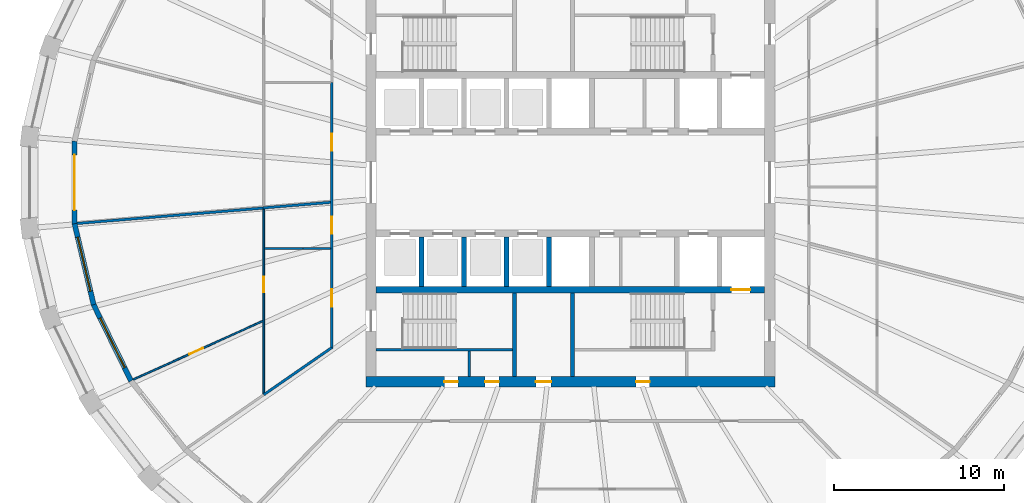
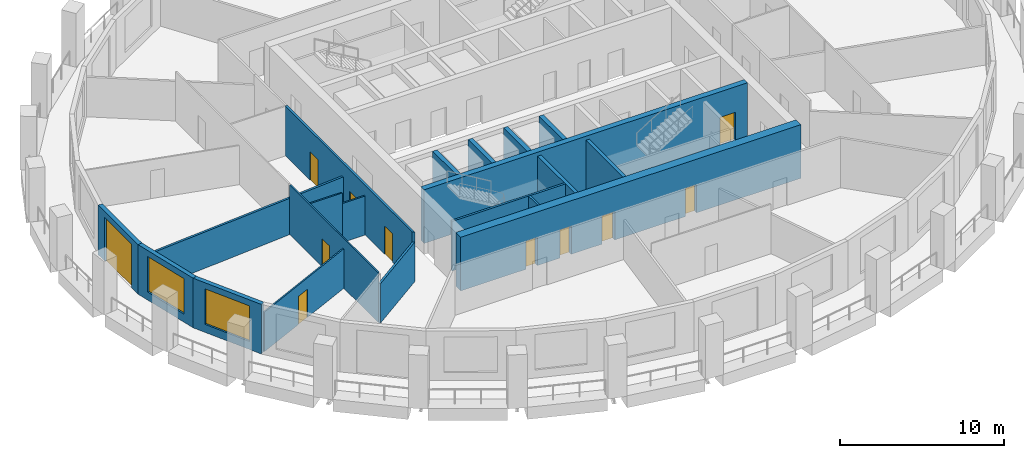
# One storey, part 3 of 11: 21 walls, 11 doors, 2 windows, 13 openings.
"""IFC4 building model written with IfcOpenShell, lengths in metres."""

from ifc_helpers import new_model, si_unit, direction, frame, frame_2d, origin, place, context, subcontext, project, spatial, polyline, rectangle, outline, extrude, material, layer, layer_set, type_object, element, fill, save


model = new_model("IFC4")

# Units and contexts
model_context = context("Model", 3, precision=1e-05, world=origin(), true_north=direction((0.0, 1.0)))
body_context = subcontext(model_context, "Body", "Model", "MODEL_VIEW")
ifc_project = project(units=[si_unit("LENGTHUNIT", "METRE"), si_unit("AREAUNIT", "SQUARE_METRE"), si_unit("VOLUMEUNIT", "CUBIC_METRE"), si_unit("PLANEANGLEUNIT", "RADIAN"), si_unit("MASSUNIT", "GRAM", prefix="KILO")], contexts=[model_context])

# Site, building, storey
site_placement = place(None, origin())
site = spatial("IfcSite", under=ifc_project, at=site_placement, CompositionType="ELEMENT")
building_placement = place(site_placement, origin())
building = spatial("IfcBuilding", under=site, at=building_placement, Name="Halqa Exchange Tower", CompositionType="ELEMENT")
storey_placement = place(building_placement, frame((0.0, 0.0, 218.89990234375)))
storey = spatial("IfcBuildingStorey", under=building, at=storey_placement, Name="L50", CompositionType="ELEMENT", Elevation=218.89990234375)

# Walls
ifc_material_1 = material(Name="Fire-rated gypsum board")
ifc_layer_1 = layer(ifc_material_1, 0.14990234375)
ifc_layer_set_1 = layer_set([ifc_layer_1], Name="Fire-rated gypsum board")
wall_type_1 = type_object("IfcWallType", Name="Fire partition EI 60 150", PredefinedType="PARTITIONING", material=ifc_layer_set_1)
wall_1_placement = place(storey_placement, frame((-18.0, -12.4599609375, 0.0), z_axis=(0.0, 0.0, 1.0), x_axis=(0.822102584422, 0.56933938972, 0.0)))
element("IfcWall", 1, at=wall_1_placement, inside=storey, type_object=wall_type_1, Name="L50-PWL-004", PredefinedType="PARTITIONING", context=body_context, shape_type="SweptSolid", body=[
    extrude(outline(polyline([(0.0, -0.074951171875), (1.634765625, -0.074951171875), (3.269775390625, -0.074951171875), (4.904541015625, -0.074951171875), (4.826171875, 0.074951171875), (3.21728515625, 0.074951171875), (1.608642578125, 0.074951171875), (0.0, 0.074951171875), (0.0, -0.074951171875)])), origin(), (0.0, 0.0, 1.0), 2.947021484375),
])
wall_2_placement = place(storey_placement, frame((-18.04931640625, -1.504150390625, 0.0), z_axis=(0.0, 0.0, 1.0), x_axis=(-0.996601116086, -0.082378488796, 0.0)))
element("IfcWall", 2, at=wall_2_placement, inside=storey, type_object=wall_type_1, Name="L50-PWL-007", PredefinedType="PARTITIONING", context=body_context, shape_type="SweptSolid", body=[
    extrude(outline(polyline([(10.935791015625, -0.074951171875), (10.935791015625, 0.0439453125), (10.93115234375, 0.074951171875), (9.1103515625, 0.074951171875), (7.289794921875, 0.074951171875), (5.468994140625, 0.074951171875), (3.648193359375, 0.074951171875), (1.82763671875, 0.074951171875), (0.0068359375, 0.074951171875), (0.0068359375, 0.074462890625), (0.001953125, 0.074951171875), (0.0, 0.074951171875), (0.0, -0.074951171875), (1.82275390625, -0.074951171875), (3.645263671875, -0.074951171875), (5.4677734375, -0.074951171875), (7.29052734375, -0.074951171875), (9.11328125, -0.074951171875), (10.935791015625, -0.074951171875)])), origin(), (0.0, 0.0, 1.0), 2.710205078125),
])

# Wall, openings, doors
wall_3_placement = place(storey_placement, frame((-14.0, -9.729248046875, 0.0), z_axis=(0.0, 0.0, 1.0), x_axis=(0.0, 1.0, 0.0)))
wall_3 = element("IfcWall", 3, at=wall_3_placement, inside=storey, type_object=wall_type_1, Name="L50-PWL-011", PredefinedType="PARTITIONING", context=body_context, shape_type="SweptSolid", body=[
    extrude(outline(polyline([(15.58935546875, 0.074951171875), (13.650390625, 0.074951171875), (11.711669921875, 0.074951171875), (9.772705078125, 0.074951171875), (7.833984375, 0.074951171875), (5.89501953125, 0.074951171875), (3.956298828125, 0.074951171875), (2.017333984375, 0.074951171875), (0.07861328125, 0.074951171875), (0.0, -0.074951171875), (0.0, -0.074951171875), (1.94873046875, -0.074951171875), (3.8974609375, -0.074951171875), (5.845947265625, -0.074951171875), (7.794677734375, -0.074951171875), (9.743408203125, -0.074951171875), (11.69189453125, -0.074951171875), (13.640625, -0.074951171875), (15.58935546875, -0.074951171875), (15.58935546875, 0.074951171875)])), origin(), (0.0, 0.0, 1.0), 3.7001953125),
])
opening_1_placement = place(wall_3_placement, frame((11.579345703125, 0.0, 0.0)))
opening_1 = element("IfcOpeningElement", 4, at=opening_1_placement, cuts=wall_3, Name="Opening 15-05", PredefinedType="OPENING", context=body_context, shape_type="SweptSolid", body=[
    extrude(rectangle(XDim=1.0, YDim=2.10009765625, at=frame_2d((0.5, 1.050048828125))), frame((0.0, 0.0869140625, 0.0), z_axis=(0.0, -1.0, 0.0), x_axis=(1.0, 0.0, 0.0)), (0.0, 0.0, 1.0), 0.173828125),
])
opening_2_placement = place(wall_3_placement, frame((2.44921875, 0.0, 0.0)))
opening_2 = element("IfcOpeningElement", 5, at=opening_2_placement, cuts=wall_3, Name="Opening 15-06", PredefinedType="OPENING", context=body_context, shape_type="SweptSolid", body=[
    extrude(rectangle(XDim=1.0, YDim=2.10009765625, at=frame_2d((0.5, 1.050048828125))), frame((0.0, 0.0869140625, 0.0), z_axis=(0.0, -1.0, 0.0), x_axis=(1.0, 0.0, 0.0)), (0.0, 0.0, 1.0), 0.173828125),
])
opening_3_placement = place(wall_3_placement, frame((6.71435546875, 0.0, 0.0)))
opening_3 = element("IfcOpeningElement", 6, at=opening_3_placement, cuts=wall_3, Name="Opening 15-07", PredefinedType="OPENING", context=body_context, shape_type="SweptSolid", body=[
    extrude(rectangle(XDim=1.0, YDim=2.10009765625, at=frame_2d((0.5, 1.050048828125))), frame((0.0, 0.0869140625, 0.0), z_axis=(0.0, -1.0, 0.0), x_axis=(1.0, 0.0, 0.0)), (0.0, 0.0, 1.0), 0.173828125),
])
ifc_material_2 = material(Name="Steel fire door leaf", Category="steel")
door_type_1 = type_object("IfcDoorType", Name="Fire door FD30S 1000 x 2100", OperationType="SINGLE_SWING_LEFT", PredefinedType="DOOR", material=ifc_material_2)
door_1_placement = place(opening_1_placement, origin())
door_1 = element("IfcDoor", 7, at=door_1_placement, inside=storey, type_object=door_type_1, Name="L50-IDR-005", OperationType="SINGLE_SWING_LEFT", OverallHeight=2.10009765625, OverallWidth=1.0, PredefinedType="DOOR", context=body_context, shape_type="SweptSolid", body=[
    extrude(rectangle(XDim=1.0, YDim=2.10009765625, at=frame_2d((0.5, 1.050048828125))), frame((0.0, 0.02490234375, 0.0), z_axis=(0.0, -1.0, 0.0), x_axis=(1.0, 0.0, 0.0)), (0.0, 0.0, 1.0), 0.050048828125),
])
fill(opening_1, door_1)
door_2_placement = place(opening_2_placement, origin())
door_2 = element("IfcDoor", 8, at=door_2_placement, inside=storey, type_object=door_type_1, Name="L50-IDR-006", OperationType="SINGLE_SWING_LEFT", OverallHeight=2.10009765625, OverallWidth=1.0, PredefinedType="DOOR", context=body_context, shape_type="SweptSolid", body=[
    extrude(rectangle(XDim=1.0, YDim=2.10009765625, at=frame_2d((0.5, 1.050048828125))), frame((0.0, 0.02490234375, 0.0), z_axis=(0.0, -1.0, 0.0), x_axis=(1.0, 0.0, 0.0)), (0.0, 0.0, 1.0), 0.050048828125),
])
fill(opening_2, door_2)
door_3_placement = place(opening_3_placement, origin())
door_3 = element("IfcDoor", 9, at=door_3_placement, inside=storey, type_object=door_type_1, Name="L50-IDR-007", OperationType="SINGLE_SWING_LEFT", OverallHeight=2.10009765625, OverallWidth=1.0, PredefinedType="DOOR", context=body_context, shape_type="SweptSolid", body=[
    extrude(rectangle(XDim=1.0, YDim=2.10009765625, at=frame_2d((0.5, 1.050048828125))), frame((0.0, 0.02490234375, 0.0), z_axis=(0.0, -1.0, 0.0), x_axis=(1.0, 0.0, 0.0)), (0.0, 0.0, 1.0), 0.050048828125),
])
fill(opening_3, door_3)

# Wall
wall_4_placement = place(storey_placement, frame((-14.0693359375, -1.165771484375, 0.0), z_axis=(0.0, 0.0, 1.0), x_axis=(-0.996614549641, -0.082215810186, 0.0)))
element("IfcWall", 10, at=wall_4_placement, inside=storey, type_object=wall_type_1, Name="L50-PWL-012", PredefinedType="PARTITIONING", context=body_context, shape_type="SweptSolid", body=[
    extrude(outline(polyline([(0.0, -0.074951171875), (1.94384765625, -0.074951171875), (3.8876953125, -0.074951171875), (3.88818359375, -0.067138671875), (3.982421875, -0.074951171875), (3.993896484375, -0.074951171875), (3.993896484375, 0.074951171875), (2.0029296875, 0.074951171875), (0.011962890625, 0.074951171875), (0.0, -0.06884765625), (0.0, -0.074951171875)])), origin(), (0.0, 0.0, 1.0), 2.710205078125),
])

# Wall, opening, door
ifc_material_3 = material(Name="Gypsum board")
ifc_layer_2 = layer(ifc_material_3, 0.10009765625)
ifc_layer_set_2 = layer_set([ifc_layer_2], Name="Gypsum board")
wall_type_2 = type_object("IfcWallType", Name="Partition 100 gypsum", PredefinedType="PARTITIONING", material=ifc_layer_set_2)
wall_5_placement = place(storey_placement, frame((-18.0, -12.42138671875, 0.0), z_axis=(0.0, 0.0, 1.0), x_axis=(0.0, 1.0, 0.0)))
wall_5 = element("IfcWall", 11, at=wall_5_placement, inside=storey, type_object=wall_type_2, Name="L50-PWL-003", PredefinedType="PARTITIONING", context=body_context, shape_type="SweptSolid", body=[
    extrude(outline(polyline([(0.08740234375, -0.050048828125), (1.77001953125, -0.050048828125), (3.452880859375, -0.050048828125), (5.1357421875, -0.050048828125), (6.818603515625, -0.050048828125), (8.50146484375, -0.050048828125), (8.50146484375, -0.050048828125), (8.601318359375, -0.050048828125), (8.601318359375, -0.050048828125), (10.84228515625, -0.050048828125), (10.84228515625, 0.046142578125), (10.842041015625, 0.050048828125), (9.19140625, 0.050048828125), (7.541015625, 0.050048828125), (5.890380859375, 0.050048828125), (4.239990234375, 0.050048828125), (4.235107421875, 0.0478515625), (4.23388671875, 0.050048828125), (2.82275390625, 0.050048828125), (1.411376953125, 0.050048828125), (0.0, 0.050048828125), (0.0, 0.049560546875), (0.0107421875, 0.0341796875), (0.023193359375, 0.042724609375), (0.08740234375, -0.050048828125)])), origin(), (0.0, 0.0, 1.0), 3.7001953125),
])
opening_4_placement = place(wall_5_placement, frame((5.9814453125, 0.0, 0.0)))
opening_4 = element("IfcOpeningElement", 12, at=opening_4_placement, cuts=wall_5, Name="Opening 15-17", PredefinedType="OPENING", context=body_context, shape_type="SweptSolid", body=[
    extrude(rectangle(XDim=0.89990234375, YDim=2.10009765625, at=frame_2d((0.449951171875, 1.050048828125))), frame((0.0, 0.06201171875, 0.0), z_axis=(0.0, -1.0, 0.0), x_axis=(1.0, 0.0, 0.0)), (0.0, 0.0, 1.0), 0.1240234375),
])
ifc_material_4 = material(Name="Timber door leaf", Category="wood")
door_type_2 = type_object("IfcDoorType", Name="Door 900 x 2100", OperationType="SINGLE_SWING_LEFT", PredefinedType="DOOR", material=ifc_material_4)
door_4_placement = place(opening_4_placement, frame((0.89990234375, 0.0, 0.0), z_axis=(0.0, 0.0, 1.0), x_axis=(-1.0, 0.0, 0.0)))
door_4 = element("IfcDoor", 13, at=door_4_placement, inside=storey, type_object=door_type_2, Name="L50-IDR-017", OperationType="SINGLE_SWING_RIGHT", OverallHeight=2.10009765625, OverallWidth=0.89990234375, PredefinedType="DOOR", context=body_context, shape_type="SweptSolid", body=[
    extrude(rectangle(XDim=0.89990234375, YDim=2.10009765625, at=frame_2d((0.449951171875, 1.050048828125))), frame((0.0, 0.02490234375, 0.0), z_axis=(0.0, -1.0, 0.0), x_axis=(1.0, 0.0, 0.0)), (0.0, 0.0, 1.0), 0.050048828125),
])
fill(opening_4, door_4)

wall_6_placement = place(storey_placement, frame((-18.029541015625, -8.123291015625, 0.0), z_axis=(0.0, 0.0, 1.0), x_axis=(-0.911431984772, -0.411450771216, 0.0)))
wall_6 = element("IfcWall", 14, at=wall_6_placement, inside=storey, type_object=wall_type_2, Name="L50-PWL-005", PredefinedType="PARTITIONING", context=body_context, shape_type="SweptSolid", body=[
    extrude(outline(polyline([(8.372314453125, -0.050048828125), (8.372314453125, -0.0419921875), (8.370849609375, -0.000244140625), (8.3583984375, 0.050048828125), (6.69580078125, 0.050048828125), (5.032958984375, 0.050048828125), (3.370361328125, 0.050048828125), (1.707763671875, 0.050048828125), (0.044921875, 0.050048828125), (0.0, -0.0498046875), (0.0, -0.050048828125), (1.674560546875, -0.050048828125), (3.348876953125, -0.050048828125), (5.0234375, -0.050048828125), (6.69775390625, -0.050048828125), (8.372314453125, -0.050048828125)])), origin(), (0.0, 0.0, 1.0), 2.947021484375),
])
opening_5_placement = place(wall_6_placement, frame((3.867919921875, 0.0, 0.0)))
opening_5 = element("IfcOpeningElement", 15, at=opening_5_placement, cuts=wall_6, Name="Opening 15-18", PredefinedType="OPENING", context=body_context, shape_type="SweptSolid", body=[
    extrude(rectangle(XDim=0.89990234375, YDim=2.10009765625, at=frame_2d((0.449951171875, 1.050048828125))), frame((0.0, 0.06201171875, 0.0), z_axis=(0.0, -1.0, 0.0), x_axis=(1.0, 0.0, 0.0)), (0.0, 0.0, 1.0), 0.1240234375),
])
door_5_placement = place(opening_5_placement, origin())
door_5 = element("IfcDoor", 16, at=door_5_placement, inside=storey, type_object=door_type_2, Name="L50-IDR-018", OperationType="SINGLE_SWING_LEFT", OverallHeight=2.10009765625, OverallWidth=0.89990234375, PredefinedType="DOOR", context=body_context, shape_type="SweptSolid", body=[
    extrude(rectangle(XDim=0.89990234375, YDim=2.10009765625, at=frame_2d((0.449951171875, 1.050048828125))), frame((0.0, 0.02490234375, 0.0), z_axis=(0.0, -1.0, 0.0), x_axis=(1.0, 0.0, 0.0)), (0.0, 0.0, 1.0), 0.050048828125),
])
fill(opening_5, door_5)

# Walls
wall_7_placement = place(storey_placement, frame((-17.949951171875, -3.8701171875, 0.0), z_axis=(0.0, 0.0, 1.0), x_axis=(1.0, 0.0, 0.0)))
element("IfcWall", 17, at=wall_7_placement, inside=storey, type_object=wall_type_2, Name="L50-PWL-006", PredefinedType="PARTITIONING", context=body_context, shape_type="SweptSolid", body=[
    extrude(rectangle(XDim=2.2578125, YDim=0.10009765625, at=frame_2d((1.12890625, 0.0))), origin(), (0.0, 0.0, 1.0), 3.7001953125),
])
wall_8_placement = place(storey_placement, frame((-15.692138671875, -3.8701171875, 0.0), z_axis=(0.0, 0.0, 1.0), x_axis=(1.0, 0.0, 0.0)))
element("IfcWall", 18, at=wall_8_placement, inside=storey, type_object=wall_type_2, Name="L50-PWL-040", PredefinedType="PARTITIONING", context=body_context, shape_type="SweptSolid", body=[
    extrude(rectangle(XDim=1.6171875, YDim=0.10009765625, at=frame_2d((0.80859375, 0.0))), origin(), (0.0, 0.0, 1.0), 2.91015625),
])
ifc_layer_3 = layer(ifc_material_3, 0.14990234375)
ifc_layer_set_3 = layer_set([ifc_layer_3], Name="Gypsum board")
wall_type_3 = type_object("IfcWallType", Name="Penthouse riser wall 150 gypsum", PredefinedType="PARTITIONING", material=ifc_layer_set_3)
wall_9_placement = place(storey_placement, frame((-5.925048828125, -11.39990234375, 0.0), z_axis=(0.0, 0.0, 1.0), x_axis=(0.0, 1.0, 0.0)))
element("IfcWall", 19, at=wall_9_placement, inside=storey, type_object=wall_type_3, Name="Partition W5.925 S", PredefinedType="PARTITIONING", context=body_context, shape_type="SweptSolid", body=[
    extrude(rectangle(XDim=1.5, YDim=0.14990234375, at=frame_2d((0.75, 0.0))), origin(), (0.0, 0.0, 1.0), 3.7001953125),
])
ifc_material_5 = material(Name="Concrete C60/75", Category="concrete")
ifc_layer_4 = layer(ifc_material_5, 0.300048828125)
ifc_layer_set_4 = layer_set([ifc_layer_4], Name="Concrete C60/75")
wall_type_4 = type_object("IfcWallType", Name="RC core wall 300", PredefinedType="SHEAR", material=ifc_layer_set_4)
for number, where, z_axis, x_axis, name in (
    (20, (-8.75, -6.10009765625, 0.0), (0.0, 0.0, 1.0), (0.0, 1.0, 0.0), "Shaft divider S1"),
    (21, (-6.25, -6.10009765625, 0.0), (0.0, 0.0, 1.0), (0.0, 1.0, 0.0), "Shaft divider S2"),
    (22, (-3.75, -6.10009765625, 0.0), (0.0, 0.0, 1.0), (0.0, 1.0, 0.0), "Shaft divider S3"),
    (23, (-1.25, -6.10009765625, 0.0), (0.0, 0.0, 1.0), (0.0, 1.0, 0.0), "Shaft divider S4"),
):
    element("IfcWall", number, at=place(storey_placement, frame(where, z_axis=z_axis, x_axis=x_axis)), inside=storey, type_object=wall_type_4, Name=name, PredefinedType="SHEAR", context=body_context, shape_type="SweptSolid", body=[
        extrude(rectangle(XDim=2.900146484375, YDim=0.300048828125, at=frame_2d((1.4501953125, 0.0))), origin(), (0.0, 0.0, 1.0), 4.0),
    ])

# Wall, opening, door
ifc_material_6 = material(Name="Concrete C70/85", Category="concrete")
ifc_layer_5 = layer(ifc_material_6, 0.39990234375)
ifc_layer_set_5 = layer_set([ifc_layer_5], Name="Concrete C70/85")
wall_type_5 = type_object("IfcWallType", Name="RC core wall 400 C70/85", PredefinedType="SHEAR", material=ifc_layer_set_5)
wall_10_placement = place(storey_placement, frame((-11.39990234375, -6.300048828125, 0.0), z_axis=(0.0, 0.0, 1.0), x_axis=(1.0, 0.0, 0.0)))
wall_10 = element("IfcWall", 24, at=wall_10_placement, inside=storey, type_object=wall_type_5, Name="Lift row back wall S", PredefinedType="SHEAR", context=body_context, shape_type="SweptSolid", body=[
    extrude(rectangle(XDim=22.7998046875, YDim=0.39990234375, at=frame_2d((11.39990234375, 0.0))), origin(), (0.0, 0.0, 1.0), 4.0),
])
opening_6_placement = place(wall_10_placement, frame((20.85009765625, 0.0, 0.0)))
opening_6 = element("IfcOpeningElement", 25, at=opening_6_placement, cuts=wall_10, Name="Opening LD-FF2-T15", PredefinedType="OPENING", context=body_context, shape_type="SweptSolid", body=[
    extrude(rectangle(XDim=1.10009765625, YDim=2.10009765625, at=frame_2d((0.550048828125, 1.050048828125))), frame((0.0, 0.2119140625, 0.0), z_axis=(0.0, -1.0, 0.0), x_axis=(1.0, 0.0, 0.0)), (0.0, 0.0, 1.0), 0.423828125),
])
ifc_material_7 = material(Name="Stainless steel", Category="steel")
door_type_3 = type_object("IfcDoorType", Name="Lift landing door 1100 x 2100", OperationType="SLIDING_TO_LEFT", PredefinedType="DOOR", material=ifc_material_7)
door_6_placement = place(opening_6_placement, origin())
door_6 = element("IfcDoor", 26, at=door_6_placement, inside=storey, type_object=door_type_3, Name="Lift landing door FF2", OperationType="SLIDING_TO_LEFT", OverallHeight=2.10009765625, OverallWidth=1.10009765625, PredefinedType="DOOR", context=body_context, shape_type="SweptSolid", body=[
    extrude(rectangle(XDim=1.10009765625, YDim=2.10009765625, at=frame_2d((0.550048828125, 1.050048828125))), frame((0.0, 0.02490234375, 0.0), z_axis=(0.0, -1.0, 0.0), x_axis=(1.0, 0.0, 0.0)), (0.0, 0.0, 1.0), 0.050048828125),
])
fill(opening_6, door_6)

# Wall, openings, doors
ifc_layer_6 = layer(ifc_material_6, 0.60009765625)
ifc_layer_set_6 = layer_set([ifc_layer_6], Name="Concrete C70/85")
wall_type_6 = type_object("IfcWallType", Name="RC core wall 600 C70/85", PredefinedType="SHEAR", material=ifc_layer_set_6)
wall_11_placement = place(storey_placement, frame((-12.0, -11.699951171875, 0.0), z_axis=(0.0, 0.0, 1.0), x_axis=(1.0, 0.0, 0.0)))
wall_11 = element("IfcWall", 27, at=wall_11_placement, inside=storey, type_object=wall_type_6, Name="Core wall south", PredefinedType="SHEAR", context=body_context, shape_type="SweptSolid", body=[
    extrude(rectangle(XDim=24.0, YDim=0.60009765625, at=frame_2d((12.0, 0.0))), origin(), (0.0, 0.0, 1.0), 4.0),
])
opening_7_placement = place(wall_11_placement, frame((9.97509765625, 0.0, 0.0)))
opening_7 = element("IfcOpeningElement", 28, at=opening_7_placement, cuts=wall_11, Name="Opening T15-C25", PredefinedType="OPENING", context=body_context, shape_type="SweptSolid", body=[
    extrude(rectangle(XDim=0.89990234375, YDim=2.10009765625, at=frame_2d((0.449951171875, 1.050048828125))), frame((0.0, 0.31201171875, 0.0), z_axis=(0.0, -1.0, 0.0), x_axis=(1.0, 0.0, 0.0)), (0.0, 0.0, 1.0), 0.6240234375),
])
opening_8_placement = place(wall_11_placement, frame((4.60009765625, 0.0, 0.0)))
opening_8 = element("IfcOpeningElement", 29, at=opening_8_placement, cuts=wall_11, Name="Opening T15-C26", PredefinedType="OPENING", context=body_context, shape_type="SweptSolid", body=[
    extrude(rectangle(XDim=0.800048828125, YDim=2.10009765625, at=frame_2d((0.39990234375, 1.050048828125))), frame((0.0, 0.31201171875, 0.0), z_axis=(0.0, -1.0, 0.0), x_axis=(1.0, 0.0, 0.0)), (0.0, 0.0, 1.0), 0.6240234375),
])
opening_9_placement = place(wall_11_placement, frame((7.0, 0.0, 0.0)))
opening_9 = element("IfcOpeningElement", 30, at=opening_9_placement, cuts=wall_11, Name="Opening T15-C27", PredefinedType="OPENING", context=body_context, shape_type="SweptSolid", body=[
    extrude(rectangle(XDim=0.800048828125, YDim=2.10009765625, at=frame_2d((0.39990234375, 1.050048828125))), frame((0.0, 0.31201171875, 0.0), z_axis=(0.0, -1.0, 0.0), x_axis=(1.0, 0.0, 0.0)), (0.0, 0.0, 1.0), 0.6240234375),
])
opening_10_placement = place(wall_11_placement, frame((15.85009765625, 0.0, 0.0)))
opening_10 = element("IfcOpeningElement", 31, at=opening_10_placement, cuts=wall_11, Name="Opening T15-C28", PredefinedType="OPENING", context=body_context, shape_type="SweptSolid", body=[
    extrude(rectangle(XDim=0.800048828125, YDim=2.10009765625, at=frame_2d((0.39990234375, 1.050048828125))), frame((0.0, 0.31201171875, 0.0), z_axis=(0.0, -1.0, 0.0), x_axis=(1.0, 0.0, 0.0)), (0.0, 0.0, 1.0), 0.6240234375),
])
ifc_material_8 = material(Name="Timber fire door leaf", Category="wood")
door_type_4 = type_object("IfcDoorType", Name="Core room door FD30 900 x 2100", OperationType="SINGLE_SWING_LEFT", PredefinedType="DOOR", material=ifc_material_8)
door_7_placement = place(opening_7_placement, origin())
door_7 = element("IfcDoor", 32, at=door_7_placement, inside=storey, type_object=door_type_4, Name="Core room door", OperationType="SINGLE_SWING_RIGHT", OverallHeight=2.10009765625, OverallWidth=0.89990234375, PredefinedType="DOOR", context=body_context, shape_type="SweptSolid", body=[
    extrude(rectangle(XDim=0.89990234375, YDim=2.10009765625, at=frame_2d((0.449951171875, 1.050048828125))), frame((0.0, 0.02490234375, 0.0), z_axis=(0.0, -1.0, 0.0), x_axis=(1.0, 0.0, 0.0)), (0.0, 0.0, 1.0), 0.050048828125),
])
fill(opening_7, door_7)
door_type_5 = type_object("IfcDoorType", Name="Riser door FD60 800 x 2100", OperationType="SINGLE_SWING_LEFT", PredefinedType="DOOR", material=ifc_material_2)
door_8_placement = place(opening_8_placement, origin())
door_8 = element("IfcDoor", 33, at=door_8_placement, inside=storey, type_object=door_type_5, Name="Core room door", OperationType="SINGLE_SWING_LEFT", OverallHeight=2.10009765625, OverallWidth=0.800048828125, PredefinedType="DOOR", context=body_context, shape_type="SweptSolid", body=[
    extrude(rectangle(XDim=0.800048828125, YDim=2.10009765625, at=frame_2d((0.39990234375, 1.050048828125))), frame((0.0, 0.02490234375, 0.0), z_axis=(0.0, -1.0, 0.0), x_axis=(1.0, 0.0, 0.0)), (0.0, 0.0, 1.0), 0.050048828125),
])
fill(opening_8, door_8)
door_9_placement = place(opening_9_placement, origin())
door_9 = element("IfcDoor", 34, at=door_9_placement, inside=storey, type_object=door_type_5, Name="Core room door", OperationType="SINGLE_SWING_RIGHT", OverallHeight=2.10009765625, OverallWidth=0.800048828125, PredefinedType="DOOR", context=body_context, shape_type="SweptSolid", body=[
    extrude(rectangle(XDim=0.800048828125, YDim=2.10009765625, at=frame_2d((0.39990234375, 1.050048828125))), frame((0.0, 0.02490234375, 0.0), z_axis=(0.0, -1.0, 0.0), x_axis=(1.0, 0.0, 0.0)), (0.0, 0.0, 1.0), 0.050048828125),
])
fill(opening_9, door_9)
door_10_placement = place(opening_10_placement, origin())
door_10 = element("IfcDoor", 35, at=door_10_placement, inside=storey, type_object=door_type_5, Name="Core room door", OperationType="SINGLE_SWING_LEFT", OverallHeight=2.10009765625, OverallWidth=0.800048828125, PredefinedType="DOOR", context=body_context, shape_type="SweptSolid", body=[
    extrude(rectangle(XDim=0.800048828125, YDim=2.10009765625, at=frame_2d((0.39990234375, 1.050048828125))), frame((0.0, 0.02490234375, 0.0), z_axis=(0.0, -1.0, 0.0), x_axis=(1.0, 0.0, 0.0)), (0.0, 0.0, 1.0), 0.050048828125),
])
fill(opening_10, door_10)

# Walls
ifc_material_9 = material(Name="Concrete C30/37", Category="concrete")
ifc_layer_7 = layer(ifc_material_9, 0.14990234375)
ifc_layer_set_7 = layer_set([ifc_layer_7], Name="Concrete C30/37")
wall_type_7 = type_object("IfcWallType", Name="RC stair wall 150 C30/37", PredefinedType="SHEAR", material=ifc_layer_set_7)
wall_12_placement = place(storey_placement, frame((-11.39990234375, -9.824951171875, 0.0), z_axis=(0.0, 0.0, 1.0), x_axis=(1.0, 0.0, 0.0)))
element("IfcWall", 36, at=wall_12_placement, inside=storey, type_object=wall_type_7, Name="Stair ST1 north wall S", PredefinedType="SHEAR", context=body_context, shape_type="SweptSolid", body=[
    extrude(rectangle(XDim=8.0, YDim=0.14990234375, at=frame_2d((4.0, 0.0))), origin(), (0.0, 0.0, 1.0), 3.7001953125),
])
ifc_layer_8 = layer(ifc_material_9, 0.25)
ifc_layer_set_8 = layer_set([ifc_layer_8], Name="Concrete C30/37")
wall_type_8 = type_object("IfcWallType", Name="RC stair wall 250 C30/37", PredefinedType="SHEAR", material=ifc_layer_set_8)
for number, where, z_axis, x_axis, name in (
    (37, (-3.27490234375, -11.39990234375, 0.0), (0.0, 0.0, 1.0), (0.0, 1.0, 0.0), "Stair ST1 east wall S"),
    (38, (0.125, -11.39990234375, 0.0), (0.0, 0.0, 1.0), (0.0, 1.0, 0.0), "Stair ST2 west wall S"),
):
    element("IfcWall", number, at=place(storey_placement, frame(where, z_axis=z_axis, x_axis=x_axis)), inside=storey, type_object=wall_type_8, Name=name, PredefinedType="SHEAR", context=body_context, shape_type="SweptSolid", body=[
        extrude(rectangle(XDim=4.89990234375, YDim=0.25, at=frame_2d((2.449951171875, 0.0))), origin(), (0.0, 0.0, 1.0), 3.7001953125),
    ])

# Wall, opening, door
ifc_material_10 = material(Name="Limestone cladding", Category="masonry")
ifc_layer_9 = layer(ifc_material_10, 0.0400390625)
ifc_material_11 = material(Name="Ventilated cavity")
ifc_layer_10 = layer(ifc_material_11, 0.030029296875, ventilated=True)
ifc_material_12 = material(Name="Mineral wool insulation")
ifc_layer_11 = layer(ifc_material_12, 0.10009765625)
ifc_layer_12 = layer(ifc_material_9, 0.10009765625)
ifc_material_13 = material(Name="Internal plaster")
ifc_layer_13 = layer(ifc_material_13, 0.030029296875)
ifc_layer_set_9 = layer_set([ifc_layer_9, ifc_layer_10, ifc_layer_11, ifc_layer_12, ifc_layer_13], Name="Stone-faced insulated wall 300")
wall_type_9 = type_object("IfcWallType", Name="Stone-faced insulated wall 300", PredefinedType="STANDARD", material=ifc_layer_set_9)
wall_13_placement = place(storey_placement, frame((-29.1044921875, 2.422607421875, 0.0), z_axis=(0.0, 0.0, 1.0), x_axis=(0.0, -1.0, 0.0)))
wall_13 = element("IfcWall", 39, at=wall_13_placement, inside=storey, type_object=wall_type_9, Name="Glass-line wall 16", PredefinedType="STANDARD", context=body_context, shape_type="SweptSolid", body=[
    extrude(outline(polyline([(-0.017333984375, -0.14990234375), (4.862548828125, -0.14990234375), (4.827880859375, 0.14990234375), (0.017333984375, 0.14990234375), (-0.017333984375, -0.14990234375)])), origin(), (0.0, 0.0, 1.0), 3.7001953125),
])
opening_11_placement = place(wall_13_placement, frame((0.797607421875, 0.0, 0.0)))
opening_11 = element("IfcOpeningElement", 40, at=opening_11_placement, cuts=wall_13, Name="Opening LG-F3-04", PredefinedType="OPENING", context=body_context, shape_type="SweptSolid", body=[
    extrude(rectangle(XDim=3.25, YDim=3.25, at=frame_2d((1.625, 1.625))), frame((0.0, 0.162109375, 0.0), z_axis=(0.0, -1.0, 0.0), x_axis=(1.0, 0.0, 0.0)), (0.0, 0.0, 1.0), 0.323974609375),
])
ifc_material_14 = material(Name="Clear low-emissivity glass in aluminium frame", Category="aluminium")
door_type_6 = type_object("IfcDoorType", Name="Glazed sliding loggia door 3250 x 3250", OperationType="DOUBLE_DOOR_SLIDING", PredefinedType="DOOR", material=ifc_material_14)
door_11_placement = place(opening_11_placement, origin())
door_11 = element("IfcDoor", 41, at=door_11_placement, inside=storey, type_object=door_type_6, Name="Loggia door 4", OperationType="DOUBLE_DOOR_SLIDING", OverallHeight=3.25, OverallWidth=3.25, PredefinedType="DOOR", context=body_context, shape_type="SweptSolid", body=[
    extrude(rectangle(XDim=3.25, YDim=3.25, at=frame_2d((1.625, 1.625))), frame((0.0, 0.02490234375, 0.0), z_axis=(0.0, -1.0, 0.0), x_axis=(1.0, 0.0, 0.0)), (0.0, 0.0, 1.0), 0.050048828125),
])
fill(opening_11, door_11)

# Wall, opening, window
wall_14_placement = place(storey_placement, frame((-29.1044921875, -2.422607421875, 0.0), z_axis=(0.0, 0.0, 1.0), x_axis=(0.229546618766, -0.97329766763, 0.0)))
wall_14 = element("IfcWall", 42, at=wall_14_placement, inside=storey, type_object=wall_type_9, Name="Glass-line wall 17", PredefinedType="STANDARD", context=body_context, shape_type="SweptSolid", body=[
    extrude(outline(polyline([(-0.017333984375, -0.14990234375), (4.898681640625, -0.14990234375), (4.864990234375, 0.14990234375), (0.017333984375, 0.14990234375), (-0.017333984375, -0.14990234375)])), origin(), (0.0, 0.0, 1.0), 3.7001953125),
])
opening_12_placement = place(wall_14_placement, frame((0.81591796875, 0.0, 0.60009765625)))
opening_12 = element("IfcOpeningElement", 43, at=opening_12_placement, cuts=wall_14, Name="Opening W-F3-17", PredefinedType="OPENING", context=body_context, shape_type="SweptSolid", body=[
    extrude(rectangle(XDim=3.25, YDim=2.64990234375, at=frame_2d((1.625, 1.324951171875))), frame((0.0, 0.162109375, 0.0), z_axis=(0.0, -1.0, 0.0), x_axis=(1.0, 0.0, 0.0)), (0.0, 0.0, 1.0), 0.323974609375),
])
window_type = type_object("IfcWindowType", Name="Fixed clear glazed window 3250 x 2650", PartitioningType="TRIPLE_PANEL_VERTICAL", PredefinedType="WINDOW", material=ifc_material_14)
window_1_placement = place(opening_12_placement, origin())
window_1 = element("IfcWindow", 44, at=window_1_placement, inside=storey, type_object=window_type, Name="Window 3", OverallHeight=2.64990234375, OverallWidth=3.25, PartitioningType="TRIPLE_PANEL_VERTICAL", PredefinedType="WINDOW", context=body_context, shape_type="SweptSolid", body=[
    extrude(rectangle(XDim=3.25, YDim=2.64990234375, at=frame_2d((1.625, 1.324951171875))), frame((0.0, 0.030029296875, 0.0), z_axis=(0.0, -1.0, 0.0), x_axis=(1.0, 0.0, 0.0)), (0.0, 0.0, 1.0), 0.06005859375),
])
fill(opening_12, window_1)

wall_15_placement = place(storey_placement, frame((-27.98388671875, -7.174072265625, 0.0), z_axis=(0.0, 0.0, 1.0), x_axis=(0.440795186599, -0.897607711348, 0.0)))
wall_15 = element("IfcWall", 45, at=wall_15_placement, inside=storey, type_object=wall_type_9, Name="Glass-line wall 18", PredefinedType="STANDARD", context=body_context, shape_type="SweptSolid", body=[
    extrude(outline(polyline([(-0.016845703125, -0.14990234375), (5.000244140625, -0.14990234375), (4.968017578125, 0.14990234375), (0.016845703125, 0.14990234375), (-0.016845703125, -0.14990234375)])), origin(), (0.0, 0.0, 1.0), 3.7001953125),
])
opening_13_placement = place(wall_15_placement, frame((0.8671875, 0.0, 0.60009765625)))
opening_13 = element("IfcOpeningElement", 46, at=opening_13_placement, cuts=wall_15, Name="Opening W-F3-18", PredefinedType="OPENING", context=body_context, shape_type="SweptSolid", body=[
    extrude(rectangle(XDim=3.25, YDim=2.64990234375, at=frame_2d((1.625, 1.324951171875))), frame((0.0, 0.162109375, 0.0), z_axis=(0.0, -1.0, 0.0), x_axis=(1.0, 0.0, 0.0)), (0.0, 0.0, 1.0), 0.323974609375),
])
window_2_placement = place(opening_13_placement, origin())
window_2 = element("IfcWindow", 47, at=window_2_placement, inside=storey, type_object=window_type, Name="Window 3", OverallHeight=2.64990234375, OverallWidth=3.25, PartitioningType="TRIPLE_PANEL_VERTICAL", PredefinedType="WINDOW", context=body_context, shape_type="SweptSolid", body=[
    extrude(rectangle(XDim=3.25, YDim=2.64990234375, at=frame_2d((1.625, 1.324951171875))), frame((0.0, 0.030029296875, 0.0), z_axis=(0.0, -1.0, 0.0), x_axis=(1.0, 0.0, 0.0)), (0.0, 0.0, 1.0), 0.06005859375),
])
fill(opening_13, window_2)

save(model, "model.ifc")
